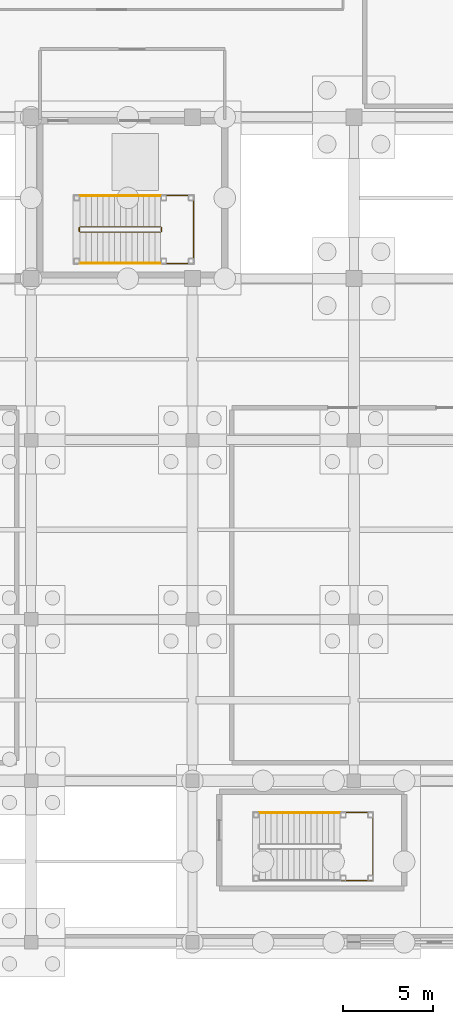
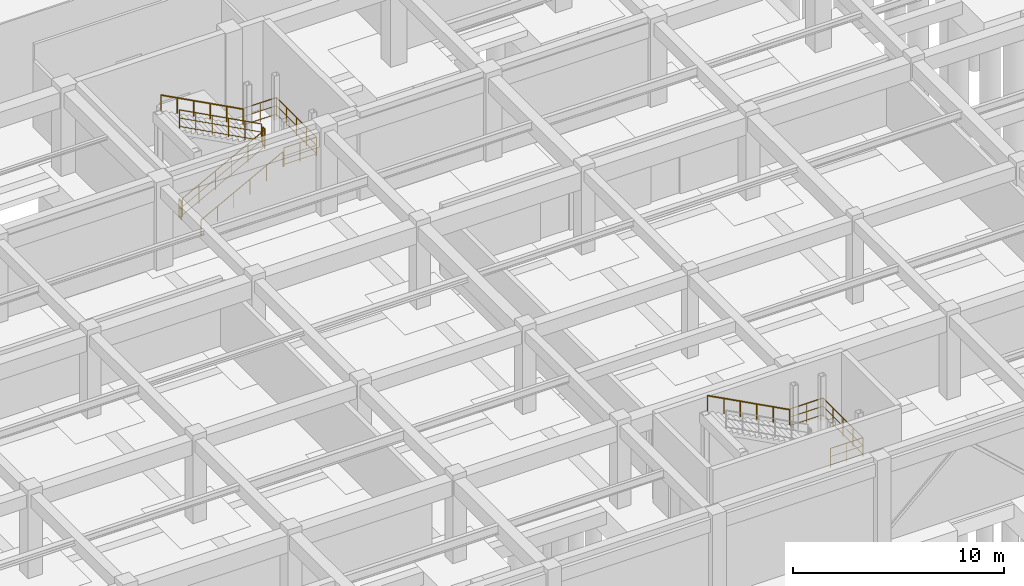
# One storey, part 55 of 62: 9 railings.
"""IFC4 building model written with IfcOpenShell, lengths in metres."""

import ifcopenshell
import ifcopenshell.guid

model = None  # the IFC model being written
_history = None  # IfcOwnerHistory: only IFC2X3 demands one
_inside = {}  # id of a spatial element -> (the spatial element, [elements in it])
_under = {}  # id of a project, library or spatial element -> (it, [spatial elements below it])
_declared = {}  # id of a project -> (the project, [libraries it declares])
_typed = {}  # id of a type object -> (the type object, [elements of that type])
_made_of = {}  # id of a material, layer set ... -> (it, [elements and type objects made of it])


def new_model(schema):
    """Start an empty IFC model of exactly this schema.

    Asked for "IFC4X3", IfcOpenShell would pick the latest addendum, in which some entities
    have other attributes; the version numbers below select the first issue.
    IFC2X3 requires an IfcOwnerHistory on every rooted entity: one is made here for all.
    """
    global model, _history
    if schema == "IFC4X3":
        model = ifcopenshell.file(schema_version=(4, 3, 0, 0))
    else:
        model = ifcopenshell.file(schema=schema)
    _inside.clear()
    _under.clear()
    _declared.clear()
    _typed.clear()
    _made_of.clear()
    _history = None
    if model.schema == "IFC2X3":
        org = make("IfcOrganization", Name="unknown")
        user = make(
            "IfcPersonAndOrganization",
            ThePerson=make("IfcPerson", FamilyName="unknown"),
            TheOrganization=org,
        )
        app = make(
            "IfcApplication",
            ApplicationDeveloper=org,
            Version="unknown",
            ApplicationFullName="unknown",
            ApplicationIdentifier="unknown",
        )
        _history = make(
            "IfcOwnerHistory",
            OwningUser=user,
            OwningApplication=app,
            ChangeAction="ADDED",
            CreationDate=0,
        )
    return model


def make(cls, **values):
    """One entity of the class cls with the attributes given. An attribute that is None is left unset."""
    return model.create_entity(
        cls, **{name: value for name, value in values.items() if value is not None}
    )


def rooted(cls, **values):
    """An entity with a GlobalId (a new one), such as an element, a storey or a relation."""
    return make(cls, GlobalId=ifcopenshell.guid.new(), OwnerHistory=_history, **values)


def si_unit(unit_type, name, prefix=None):
    """IfcSIUnit, for example si_unit("LENGTHUNIT", "METRE", prefix="MILLI")."""
    return make("IfcSIUnit", UnitType=unit_type, Prefix=prefix, Name=name)


def assignment(units):
    """IfcUnitAssignment: the units of a project."""
    return None if units is None else make("IfcUnitAssignment", Units=units)


def point(xyz):
    """IfcCartesianPoint."""
    return None if xyz is None else make("IfcCartesianPoint", Coordinates=xyz)


def direction(xyz):
    """IfcDirection."""
    return None if xyz is None else make("IfcDirection", DirectionRatios=xyz)


def frame(location, z_axis=None, x_axis=None):
    """IfcAxis2Placement3D, a coordinate frame: its origin and axes. An axis left out is left unset."""
    return make(
        "IfcAxis2Placement3D",
        Location=point(location),
        Axis=direction(z_axis),
        RefDirection=direction(x_axis),
    )


def frame_2d(location, x_axis=None):
    """IfcAxis2Placement2D, a coordinate frame in the plane: its origin and x axis."""
    return make(
        "IfcAxis2Placement2D", Location=point(location), RefDirection=direction(x_axis)
    )


def origin():
    """The frame at (0, 0, 0) with its axes left unset."""
    return frame((0.0, 0.0, 0.0))


def origin_2d():
    """The frame at (0, 0) in the plane with its x axis left unset."""
    return frame_2d((0.0, 0.0))


def place(relative_to, where):
    """IfcLocalPlacement: puts the frame where relative to a parent placement (None: the world)."""
    return make(
        "IfcLocalPlacement", PlacementRelTo=relative_to, RelativePlacement=where
    )


def context(
    kind, dimensions, precision=None, world=None, true_north=None, identifier=None
):
    """IfcGeometricRepresentationContext, for example the 3D "Model" context."""
    return make(
        "IfcGeometricRepresentationContext",
        ContextIdentifier=identifier,
        ContextType=kind,
        CoordinateSpaceDimension=dimensions,
        Precision=precision,
        WorldCoordinateSystem=world,
        TrueNorth=true_north,
    )


def subcontext(parent, identifier, kind, view, scale=None):
    """IfcGeometricRepresentationSubContext, for example "Body" below "Model"."""
    return make(
        "IfcGeometricRepresentationSubContext",
        ContextIdentifier=identifier,
        ContextType=kind,
        ParentContext=parent,
        TargetScale=scale,
        TargetView=view,
    )


def project(units=None, contexts=None):
    """IfcProject with its units and contexts."""
    return rooted(
        "IfcProject",
        Name="project",
        RepresentationContexts=contexts,
        UnitsInContext=assignment(units),
    )


def spatial(cls, under=None, at=None, **own):
    """A site, building, storey or space (cls), placed at a placement, below another one or the project."""
    s = rooted(cls, ObjectPlacement=at, **own)
    if under is not None:
        _under.setdefault(under.id(), (under, []))[1].append(s)
    return s


def profile(cls, at=None, kind="AREA", **sizes):
    """A parametric profile (cls). Its sizes go by their IFC names, for example OverallWidth=200.0."""
    return make(cls, ProfileType=kind, Position=at, **sizes)


def circle(**sizes):
    """IfcCircleProfileDef."""
    return profile("IfcCircleProfileDef", **sizes)


def extrude(swept, where, along, depth):
    """IfcExtrudedAreaSolid: the profile swept, set in the frame where, extruded along a direction by depth."""
    return make(
        "IfcExtrudedAreaSolid",
        SweptArea=swept,
        Position=where,
        ExtrudedDirection=direction(along),
        Depth=depth,
    )


def shape(context_of_items, identifier, shape_type, items):
    """IfcShapeRepresentation: the items that make up one representation, for example the "Body"."""
    return make(
        "IfcShapeRepresentation",
        ContextOfItems=context_of_items,
        RepresentationIdentifier=identifier,
        RepresentationType=shape_type,
        Items=items,
    )


def material(Name=None, Category=None):
    """IfcMaterial."""
    return make("IfcMaterial", Name=Name, Category=Category)


def made_of(thing, what):
    """Note that an element or type object is made of a material, layer set ...; save() writes the relation."""
    if what is not None:
        _made_of.setdefault(what.id(), (what, []))[1].append(thing)
    return thing


def type_object(cls, material=None, **own):
    """A type object (cls), such as IfcWallType, which elements share."""
    return made_of(rooted(cls, **own), material)


def element(
    cls,
    number,
    at=None,
    inside=None,
    cuts=None,
    type_object=None,
    material=None,
    context=None,
    identifier="Body",
    shape_type=None,
    held_by="IfcProductDefinitionShape",
    body=None,
    shapes=None,
    **own,
):
    """One element of the class cls, such as IfcWall. Its Tag is "e" and its number.

    at: its placement. inside: the storey or other place that contains it. cuts: it is an
    opening in that element (IfcRelVoidsElement). A single representation is given by context,
    identifier, shape_type and body (its items); several are given by shapes. held_by: the class
    of the entity that holds the representations. save() writes the other relations.
    """
    e = rooted(cls, Tag="e%d" % number, ObjectPlacement=at, **own)
    if body is not None:
        shapes = [shape(context, identifier, shape_type, body)]
    if shapes is not None:
        e.Representation = make(held_by, Representations=shapes)
    if inside is not None:
        _inside.setdefault(inside.id(), (inside, []))[1].append(e)
    if cuts is not None:
        rooted(
            "IfcRelVoidsElement", RelatingBuildingElement=cuts, RelatedOpeningElement=e
        )
    if type_object is not None:
        _typed.setdefault(type_object.id(), (type_object, []))[1].append(e)
    return made_of(e, material)


def aggregate(whole, parts):
    """IfcRelAggregates: a whole, such as a stair, and the parts it consists of."""
    return rooted("IfcRelAggregates", RelatingObject=whole, RelatedObjects=parts)


def save(model, path):
    """Write the relations noted so far, then the file.

    IfcRelAggregates (storeys below a building ...), IfcRelContainedInSpatialStructure (elements
    in a storey), IfcRelDefinesByType, IfcRelAssociatesMaterial and IfcRelDeclares: one each for
    every whole, place, type object, material and project.
    """
    for whole, parts in _under.values():
        aggregate(whole, parts)
    for where, things in _inside.values():
        rooted(
            "IfcRelContainedInSpatialStructure",
            RelatedElements=things,
            RelatingStructure=where,
        )
    for kind, things in _typed.values():
        rooted("IfcRelDefinesByType", RelatedObjects=things, RelatingType=kind)
    for what, things in _made_of.values():
        rooted("IfcRelAssociatesMaterial", RelatedObjects=things, RelatingMaterial=what)
    for by, libraries in _declared.values():
        rooted("IfcRelDeclares", RelatingContext=by, RelatedDefinitions=libraries)
    model.write(path)


model = new_model("IFC4")

# Units and contexts
model_context = context("Model", 3, precision=1e-05, world=origin(), true_north=direction((0.0, 1.0)))
body_context = subcontext(model_context, "Body", "Model", "MODEL_VIEW")
ifc_project = project(units=[si_unit("LENGTHUNIT", "METRE"), si_unit("AREAUNIT", "SQUARE_METRE"), si_unit("VOLUMEUNIT", "CUBIC_METRE"), si_unit("PLANEANGLEUNIT", "RADIAN"), si_unit("MASSUNIT", "GRAM", prefix="KILO")], contexts=[model_context])

# Site, building, storey
site_placement = place(None, origin())
site = spatial("IfcSite", under=ifc_project, at=site_placement, CompositionType="ELEMENT")
building_placement = place(site_placement, origin())
building = spatial("IfcBuilding", under=site, at=building_placement, Name="Miravela Opera House", CompositionType="ELEMENT")
storey_placement = place(building_placement, frame((0.0, 0.0, -5.10009765625)))
storey = spatial("IfcBuildingStorey", under=building, at=storey_placement, Name="B01", CompositionType="ELEMENT", Elevation=-5.10009765625)

# Railings
ifc_material_1 = material(Name="Brushed bronze continuous stair handrail")
railing_type_1 = type_object("IfcRailingType", Name="ARC-RAIL-HAND-900", PredefinedType="HANDRAIL", material=ifc_material_1)
railing_1_placement = place(storey_placement, frame((110.739990234375, 37.85009765625, 0.170166015625)))
element("IfcRailing", 1, at=railing_1_placement, inside=storey, type_object=railing_type_1, Name="B01 ST-04 stair handrail 1", PredefinedType="HANDRAIL", context=body_context, shape_type="SweptSolid", body=[
    extrude(circle(Radius=0.02392578125, at=origin_2d()), frame((0.0, 0.0, 0.8759765625), z_axis=(0.883124442951, 0.0, 0.469138804899), x_axis=(0.0, 1.0, 0.0)), (0.0, 0.0, 1.0), 5.07275390625),
    extrude(circle(Radius=0.02099609375, at=origin_2d()), origin(), (0.0, 0.0, 1.0), 0.851806640625),
    extrude(circle(Radius=0.02099609375, at=origin_2d()), frame((0.89599609375, 0.0, 0.47607421875)), (0.0, 0.0, 1.0), 0.851806640625),
    extrude(circle(Radius=0.02099609375, at=origin_2d()), frame((1.7919921875, 0.0, 0.951904296875)), (0.0, 0.0, 1.0), 0.851806640625),
    extrude(circle(Radius=0.02099609375, at=origin_2d()), frame((2.68798828125, 0.0, 1.427978515625)), (0.0, 0.0, 1.0), 0.851806640625),
    extrude(circle(Radius=0.02099609375, at=origin_2d()), frame((3.583984375, 0.0, 1.90380859375)), (0.0, 0.0, 1.0), 0.851806640625),
    extrude(circle(Radius=0.02099609375, at=origin_2d()), frame((4.47998046875, 0.0, 2.3798828125)), (0.0, 0.0, 1.0), 0.851806640625),
])
for number, where, name in (
    (2, (115.219970703125, 41.6298828125, 2.72021484375), "B01 ST-04 stair handrail 2"),
    (3, (125.219970703125, 7.22998046875, 2.72021484375), "B01 ST-10 stair handrail 2"),
):
    element("IfcRailing", number, at=place(storey_placement, frame(where)), inside=storey, type_object=railing_type_1, Name=name, PredefinedType="HANDRAIL", context=body_context, shape_type="SweptSolid", body=[
        extrude(circle(Radius=0.02392578125, at=origin_2d()), frame((0.0, 0.0, 0.8759765625), z_axis=(-0.883124442951, 0.0, 0.469138804899), x_axis=(0.0, -1.0, 0.0)), (0.0, 0.0, 1.0), 5.07275390625),
        extrude(circle(Radius=0.02099609375, at=origin_2d()), origin(), (0.0, 0.0, 1.0), 0.851806640625),
        extrude(circle(Radius=0.02099609375, at=origin_2d()), frame((-0.89599609375, 0.0, 0.47607421875)), (0.0, 0.0, 1.0), 0.851806640625),
        extrude(circle(Radius=0.02099609375, at=origin_2d()), frame((-1.7919921875, 0.0, 0.951904296875)), (0.0, 0.0, 1.0), 0.851806640625),
        extrude(circle(Radius=0.02099609375, at=origin_2d()), frame((-2.68798828125, 0.0, 1.427978515625)), (0.0, 0.0, 1.0), 0.851806640625),
        extrude(circle(Radius=0.02099609375, at=origin_2d()), frame((-3.583984375, 0.0, 1.90380859375)), (0.0, 0.0, 1.0), 0.851806640625),
        extrude(circle(Radius=0.02099609375, at=origin_2d()), frame((-4.47998046875, 0.0, 2.3798828125)), (0.0, 0.0, 1.0), 0.851806640625),
    ])
ifc_material_2 = material(Name="Painted wrought-iron stair guardrail")
railing_type_2 = type_object("IfcRailingType", Name="ARC-RAIL-STAIR-GUARD", PredefinedType="GUARDRAIL", material=ifc_material_2)
railing_2_placement = place(storey_placement, frame((110.739990234375, 39.590087890625, 0.170166015625)))
element("IfcRailing", 4, at=railing_2_placement, inside=storey, type_object=railing_type_2, Name="B01 ST-04 stair guard 1", PredefinedType="GUARDRAIL", context=body_context, shape_type="SweptSolid", body=[
    extrude(circle(Radius=0.02392578125, at=origin_2d()), frame((0.0, 0.0, 1.076171875), z_axis=(0.883124442951, 0.0, 0.469138804899), x_axis=(0.0, 1.0, 0.0)), (0.0, 0.0, 1.0), 5.07275390625),
    extrude(circle(Radius=0.01611328125, at=origin_2d()), frame((0.0, 0.0, 0.60498046875), z_axis=(0.883124442951, 0.0, 0.469138804899), x_axis=(0.0, 1.0, 0.0)), (0.0, 0.0, 1.0), 5.07275390625),
    extrude(circle(Radius=0.01611328125, at=origin_2d()), frame((0.0, 0.0, 0.1201171875), z_axis=(0.883124442951, 0.0, 0.469138804899), x_axis=(0.0, 1.0, 0.0)), (0.0, 0.0, 1.0), 5.07275390625),
    extrude(circle(Radius=0.02099609375, at=origin_2d()), origin(), (0.0, 0.0, 1.0), 1.052001953125),
    extrude(circle(Radius=0.02099609375, at=origin_2d()), frame((0.89599609375, 0.0, 0.47607421875)), (0.0, 0.0, 1.0), 1.052001953125),
    extrude(circle(Radius=0.02099609375, at=origin_2d()), frame((1.7919921875, 0.0, 0.951904296875)), (0.0, 0.0, 1.0), 1.052001953125),
    extrude(circle(Radius=0.02099609375, at=origin_2d()), frame((2.68798828125, 0.0, 1.427978515625)), (0.0, 0.0, 1.0), 1.052001953125),
    extrude(circle(Radius=0.02099609375, at=origin_2d()), frame((3.583984375, 0.0, 1.90380859375)), (0.0, 0.0, 1.0), 1.052001953125),
    extrude(circle(Radius=0.02099609375, at=origin_2d()), frame((4.47998046875, 0.0, 2.3798828125)), (0.0, 0.0, 1.0), 1.052001953125),
])
railing_3_placement = place(storey_placement, frame((115.27001953125, 39.639892578125, 2.550048828125)))
element("IfcRailing", 5, at=railing_3_placement, inside=storey, type_object=railing_type_2, Name="B01 ST-04 stair guard 2", PredefinedType="GUARDRAIL", context=body_context, shape_type="SweptSolid", body=[
    extrude(circle(Radius=0.02392578125, at=origin_2d()), frame((0.0, 0.0, 1.076171875), z_axis=(0.0, 1.0, 0.0), x_axis=(-1.0, 0.0, 0.0)), (0.0, 0.0, 1.0), 0.2001953125),
    extrude(circle(Radius=0.01611328125, at=origin_2d()), frame((0.0, 0.0, 0.60498046875), z_axis=(0.0, 1.0, 0.0), x_axis=(-1.0, 0.0, 0.0)), (0.0, 0.0, 1.0), 0.2001953125),
    extrude(circle(Radius=0.01611328125, at=origin_2d()), frame((0.0, 0.0, 0.1201171875), z_axis=(0.0, 1.0, 0.0), x_axis=(-1.0, 0.0, 0.0)), (0.0, 0.0, 1.0), 0.2001953125),
    extrude(circle(Radius=0.02099609375, at=origin_2d()), origin(), (0.0, 0.0, 1.0), 1.052001953125),
    extrude(circle(Radius=0.02099609375, at=origin_2d()), frame((0.0, 0.2001953125, 0.0)), (0.0, 0.0, 1.0), 1.052001953125),
])
railing_4_placement = place(storey_placement, frame((115.219970703125, 39.889892578125, 2.72021484375)))
element("IfcRailing", 6, at=railing_4_placement, inside=storey, type_object=railing_type_2, Name="B01 ST-04 stair guard 3", PredefinedType="GUARDRAIL", context=body_context, shape_type="SweptSolid", body=[
    extrude(circle(Radius=0.02392578125, at=origin_2d()), frame((0.0, 0.0, 1.076171875), z_axis=(-0.883124442951, 0.0, 0.469138804899), x_axis=(0.0, -1.0, 0.0)), (0.0, 0.0, 1.0), 5.07275390625),
    extrude(circle(Radius=0.01611328125, at=origin_2d()), frame((0.0, 0.0, 0.60498046875), z_axis=(-0.883124442951, 0.0, 0.469138804899), x_axis=(0.0, -1.0, 0.0)), (0.0, 0.0, 1.0), 5.07275390625),
    extrude(circle(Radius=0.01611328125, at=origin_2d()), frame((0.0, 0.0, 0.1201171875), z_axis=(-0.883124442951, 0.0, 0.469138804899), x_axis=(0.0, -1.0, 0.0)), (0.0, 0.0, 1.0), 5.07275390625),
    extrude(circle(Radius=0.02099609375, at=origin_2d()), origin(), (0.0, 0.0, 1.0), 1.052001953125),
    extrude(circle(Radius=0.02099609375, at=origin_2d()), frame((-0.89599609375, 0.0, 0.47607421875)), (0.0, 0.0, 1.0), 1.052001953125),
    extrude(circle(Radius=0.02099609375, at=origin_2d()), frame((-1.7919921875, 0.0, 0.951904296875)), (0.0, 0.0, 1.0), 1.052001953125),
    extrude(circle(Radius=0.02099609375, at=origin_2d()), frame((-2.68798828125, 0.0, 1.427978515625)), (0.0, 0.0, 1.0), 1.052001953125),
    extrude(circle(Radius=0.02099609375, at=origin_2d()), frame((-3.583984375, 0.0, 1.90380859375)), (0.0, 0.0, 1.0), 1.052001953125),
    extrude(circle(Radius=0.02099609375, at=origin_2d()), frame((-4.47998046875, 0.0, 2.3798828125)), (0.0, 0.0, 1.0), 1.052001953125),
])
railing_5_placement = place(storey_placement, frame((110.68994140625, 39.639892578125, 0.0)))
element("IfcRailing", 7, at=railing_5_placement, inside=storey, type_object=railing_type_2, Name="B01 ST-04 stair guard 4", PredefinedType="GUARDRAIL", context=body_context, shape_type="SweptSolid", body=[
    extrude(circle(Radius=0.02392578125, at=origin_2d()), frame((0.0, 0.0, 1.076171875), z_axis=(0.0, 1.0, 0.0), x_axis=(-1.0, 0.0, 0.0)), (0.0, 0.0, 1.0), 0.2001953125),
    extrude(circle(Radius=0.01611328125, at=origin_2d()), frame((0.0, 0.0, 0.60498046875), z_axis=(0.0, 1.0, 0.0), x_axis=(-1.0, 0.0, 0.0)), (0.0, 0.0, 1.0), 0.2001953125),
    extrude(circle(Radius=0.01611328125, at=origin_2d()), frame((0.0, 0.0, 0.1201171875), z_axis=(0.0, 1.0, 0.0), x_axis=(-1.0, 0.0, 0.0)), (0.0, 0.0, 1.0), 0.2001953125),
    extrude(circle(Radius=0.02099609375, at=origin_2d()), origin(), (0.0, 0.0, 1.0), 1.052001953125),
    extrude(circle(Radius=0.02099609375, at=origin_2d()), frame((0.0, 0.2001953125, 0.0)), (0.0, 0.0, 1.0), 1.052001953125),
])
railing_6_placement = place(storey_placement, frame((115.27001953125, 37.85009765625, 2.550048828125)))
element("IfcRailing", 8, at=railing_6_placement, inside=storey, type_object=railing_type_2, Name="Stair ST-04 Half-Landing Perimeter Guard (B01) 0037", PredefinedType="GUARDRAIL", context=body_context, shape_type="SweptSolid", body=[
    extrude(circle(Radius=0.02392578125, at=origin_2d()), frame((0.0, 0.0, 1.076171875), z_axis=(1.0, 0.0, 0.0), x_axis=(0.0, 1.0, 0.0)), (0.0, 0.0, 1.0), 1.780029296875),
    extrude(circle(Radius=0.01611328125, at=origin_2d()), frame((0.0, 0.0, 0.60498046875), z_axis=(1.0, 0.0, 0.0), x_axis=(0.0, 1.0, 0.0)), (0.0, 0.0, 1.0), 1.780029296875),
    extrude(circle(Radius=0.01611328125, at=origin_2d()), frame((0.0, 0.0, 0.1201171875), z_axis=(1.0, 0.0, 0.0), x_axis=(0.0, 1.0, 0.0)), (0.0, 0.0, 1.0), 1.780029296875),
    extrude(circle(Radius=0.02392578125, at=origin_2d()), frame((1.780029296875, 0.0, 1.076171875), z_axis=(0.0, 1.0, 0.0), x_axis=(-1.0, 0.0, 0.0)), (0.0, 0.0, 1.0), 3.77978515625),
    extrude(circle(Radius=0.01611328125, at=origin_2d()), frame((1.780029296875, 0.0, 0.60498046875), z_axis=(0.0, 1.0, 0.0), x_axis=(-1.0, 0.0, 0.0)), (0.0, 0.0, 1.0), 3.77978515625),
    extrude(circle(Radius=0.01611328125, at=origin_2d()), frame((1.780029296875, 0.0, 0.1201171875), z_axis=(0.0, 1.0, 0.0), x_axis=(-1.0, 0.0, 0.0)), (0.0, 0.0, 1.0), 3.77978515625),
    extrude(circle(Radius=0.02392578125, at=origin_2d()), frame((1.780029296875, 3.77978515625, 1.076171875), z_axis=(-1.0, 0.0, 0.0), x_axis=(0.0, -1.0, 0.0)), (0.0, 0.0, 1.0), 1.780029296875),
    extrude(circle(Radius=0.01611328125, at=origin_2d()), frame((1.780029296875, 3.77978515625, 0.60498046875), z_axis=(-1.0, 0.0, 0.0), x_axis=(0.0, -1.0, 0.0)), (0.0, 0.0, 1.0), 1.780029296875),
    extrude(circle(Radius=0.01611328125, at=origin_2d()), frame((1.780029296875, 3.77978515625, 0.1201171875), z_axis=(-1.0, 0.0, 0.0), x_axis=(0.0, -1.0, 0.0)), (0.0, 0.0, 1.0), 1.780029296875),
    extrude(circle(Radius=0.02099609375, at=origin_2d()), origin(), (0.0, 0.0, 1.0), 1.052001953125),
    extrude(circle(Radius=0.02099609375, at=origin_2d()), frame((0.89013671875, 0.0, 0.0)), (0.0, 0.0, 1.0), 1.052001953125),
    extrude(circle(Radius=0.02099609375, at=origin_2d()), frame((1.780029296875, 0.0, 0.0)), (0.0, 0.0, 1.0), 1.052001953125),
    extrude(circle(Radius=0.02099609375, at=origin_2d()), frame((1.780029296875, 0.94482421875, 0.0)), (0.0, 0.0, 1.0), 1.052001953125),
    extrude(circle(Radius=0.02099609375, at=origin_2d()), frame((1.780029296875, 1.889892578125, 0.0)), (0.0, 0.0, 1.0), 1.052001953125),
    extrude(circle(Radius=0.02099609375, at=origin_2d()), frame((1.780029296875, 2.8349609375, 0.0)), (0.0, 0.0, 1.0), 1.052001953125),
    extrude(circle(Radius=0.02099609375, at=origin_2d()), frame((1.780029296875, 3.77978515625, 0.0)), (0.0, 0.0, 1.0), 1.052001953125),
    extrude(circle(Radius=0.02099609375, at=origin_2d()), frame((0.89013671875, 3.77978515625, 0.0)), (0.0, 0.0, 1.0), 1.052001953125),
    extrude(circle(Radius=0.02099609375, at=origin_2d()), frame((0.0, 3.77978515625, 0.0)), (0.0, 0.0, 1.0), 1.052001953125),
])
railing_7_placement = place(storey_placement, frame((125.27001953125, 3.449951171875, 2.550048828125)))
element("IfcRailing", 9, at=railing_7_placement, inside=storey, type_object=railing_type_2, Name="Stair ST-10 Half-Landing Perimeter Guard (B01) 0087", PredefinedType="GUARDRAIL", context=body_context, shape_type="SweptSolid", body=[
    extrude(circle(Radius=0.02392578125, at=origin_2d()), frame((0.0, 0.0, 1.076171875), z_axis=(1.0, 0.0, 0.0), x_axis=(0.0, 1.0, 0.0)), (0.0, 0.0, 1.0), 1.780029296875),
    extrude(circle(Radius=0.01611328125, at=origin_2d()), frame((0.0, 0.0, 0.60498046875), z_axis=(1.0, 0.0, 0.0), x_axis=(0.0, 1.0, 0.0)), (0.0, 0.0, 1.0), 1.780029296875),
    extrude(circle(Radius=0.01611328125, at=origin_2d()), frame((0.0, 0.0, 0.1201171875), z_axis=(1.0, 0.0, 0.0), x_axis=(0.0, 1.0, 0.0)), (0.0, 0.0, 1.0), 1.780029296875),
    extrude(circle(Radius=0.02392578125, at=origin_2d()), frame((1.780029296875, 0.0, 1.076171875), z_axis=(0.0, 1.0, 0.0), x_axis=(-1.0, 0.0, 0.0)), (0.0, 0.0, 1.0), 3.780029296875),
    extrude(circle(Radius=0.01611328125, at=origin_2d()), frame((1.780029296875, 0.0, 0.60498046875), z_axis=(0.0, 1.0, 0.0), x_axis=(-1.0, 0.0, 0.0)), (0.0, 0.0, 1.0), 3.780029296875),
    extrude(circle(Radius=0.01611328125, at=origin_2d()), frame((1.780029296875, 0.0, 0.1201171875), z_axis=(0.0, 1.0, 0.0), x_axis=(-1.0, 0.0, 0.0)), (0.0, 0.0, 1.0), 3.780029296875),
    extrude(circle(Radius=0.02392578125, at=origin_2d()), frame((1.780029296875, 3.780029296875, 1.076171875), z_axis=(-1.0, 0.0, 0.0), x_axis=(0.0, -1.0, 0.0)), (0.0, 0.0, 1.0), 1.780029296875),
    extrude(circle(Radius=0.01611328125, at=origin_2d()), frame((1.780029296875, 3.780029296875, 0.60498046875), z_axis=(-1.0, 0.0, 0.0), x_axis=(0.0, -1.0, 0.0)), (0.0, 0.0, 1.0), 1.780029296875),
    extrude(circle(Radius=0.01611328125, at=origin_2d()), frame((1.780029296875, 3.780029296875, 0.1201171875), z_axis=(-1.0, 0.0, 0.0), x_axis=(0.0, -1.0, 0.0)), (0.0, 0.0, 1.0), 1.780029296875),
    extrude(circle(Radius=0.02099609375, at=origin_2d()), origin(), (0.0, 0.0, 1.0), 1.052001953125),
    extrude(circle(Radius=0.02099609375, at=origin_2d()), frame((0.89013671875, 0.0, 0.0)), (0.0, 0.0, 1.0), 1.052001953125),
    extrude(circle(Radius=0.02099609375, at=origin_2d()), frame((1.780029296875, 0.0, 0.0)), (0.0, 0.0, 1.0), 1.052001953125),
    extrude(circle(Radius=0.02099609375, at=origin_2d()), frame((1.780029296875, 0.945068359375, 0.0)), (0.0, 0.0, 1.0), 1.052001953125),
    extrude(circle(Radius=0.02099609375, at=origin_2d()), frame((1.780029296875, 1.89013671875, 0.0)), (0.0, 0.0, 1.0), 1.052001953125),
    extrude(circle(Radius=0.02099609375, at=origin_2d()), frame((1.780029296875, 2.8349609375, 0.0)), (0.0, 0.0, 1.0), 1.052001953125),
    extrude(circle(Radius=0.02099609375, at=origin_2d()), frame((1.780029296875, 3.780029296875, 0.0)), (0.0, 0.0, 1.0), 1.052001953125),
    extrude(circle(Radius=0.02099609375, at=origin_2d()), frame((0.89013671875, 3.780029296875, 0.0)), (0.0, 0.0, 1.0), 1.052001953125),
    extrude(circle(Radius=0.02099609375, at=origin_2d()), frame((0.0, 3.780029296875, 0.0)), (0.0, 0.0, 1.0), 1.052001953125),
])

save(model, "model.ifc")
